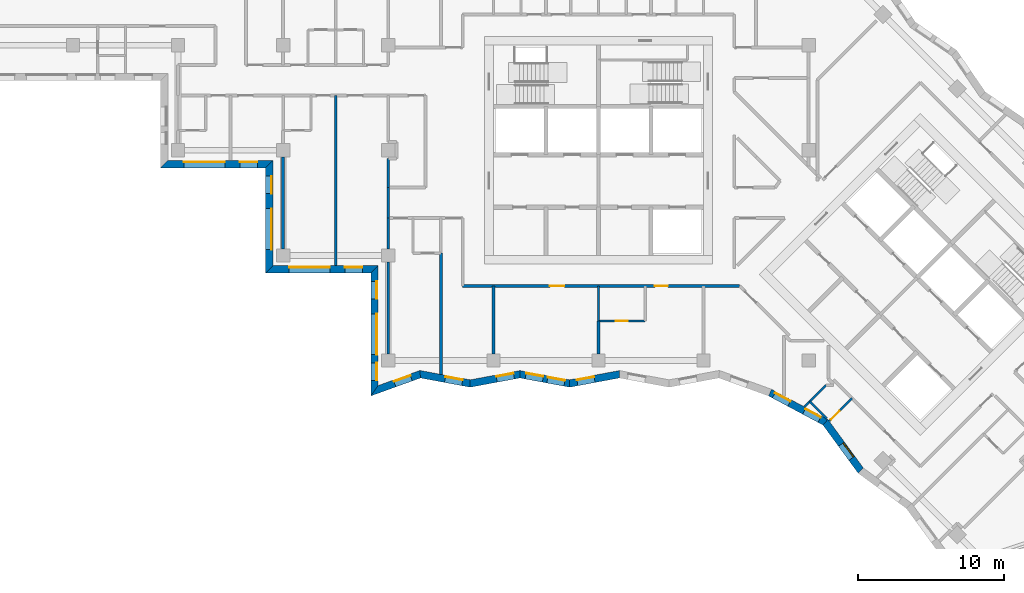
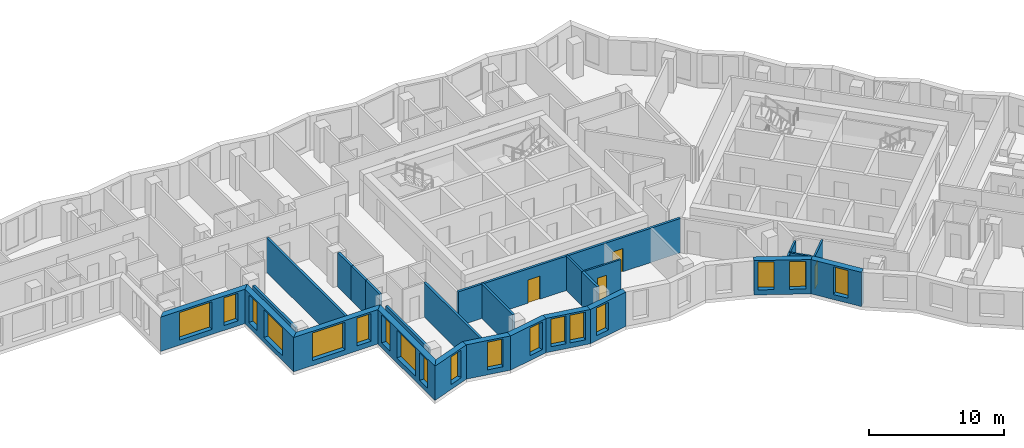
# One storey, part 2 of 13: 26 walls, 18 windows, 4 doors, 22 openings.
"""IFC4 building model written with IfcOpenShell, lengths in metres."""

from ifc_helpers import new_model, si_unit, direction, frame, frame_2d, origin, place, context, subcontext, project, spatial, polyline, rectangle, outline, extrude, material, layer, layer_set, type_object, element, fill, save


model = new_model("IFC4")

# Units and contexts
model_context = context("Model", 3, precision=1e-05, world=origin(), true_north=direction((0.0, 1.0)))
body_context = subcontext(model_context, "Body", "Model", "MODEL_VIEW")
ifc_project = project(units=[si_unit("LENGTHUNIT", "METRE"), si_unit("AREAUNIT", "SQUARE_METRE"), si_unit("VOLUMEUNIT", "CUBIC_METRE"), si_unit("PLANEANGLEUNIT", "RADIAN"), si_unit("MASSUNIT", "GRAM", prefix="KILO")], contexts=[model_context])

# Site, building, storey
site_placement = place(None, origin())
site = spatial("IfcSite", under=ifc_project, at=site_placement, CompositionType="ELEMENT")
building_placement = place(site_placement, origin())
building = spatial("IfcBuilding", under=site, at=building_placement, Name="Windrow Commons", CompositionType="ELEMENT")
storey_placement = place(building_placement, frame((0.0, 0.0, 172.8)))
storey = spatial("IfcBuildingStorey", under=building, at=storey_placement, Name="L47", CompositionType="ELEMENT", Elevation=172.8)

# Wall, openings, windows
ifc_material_1 = material(Name="Brick masonry, red clay brick", Category="masonry")
ifc_layer_1 = layer(ifc_material_1, 0.5)
ifc_layer_set_1 = layer_set([ifc_layer_1], Name="Brick facade wall 500")
wall_type_1 = type_object("IfcWallType", Name="Brick facade wall 500", PredefinedType="SOLIDWALL", material=ifc_layer_set_1)
wall_1_placement = place(storey_placement, frame((35.05, 56.65, 0.0), z_axis=(0.0, 0.0, 1.0), x_axis=(1.0, 0.0, 0.0)))
wall_1 = element("IfcWall", 1, at=wall_1_placement, inside=storey, type_object=wall_type_1, Name="Brick facade wall L47 38", PredefinedType="SOLIDWALL", context=body_context, shape_type="SweptSolid", body=[
    extrude(outline(polyline([(-0.25, -0.25), (6.95, -0.25), (7.45, 0.25), (0.25, 0.25), (-0.25, -0.25)])), origin(), (0.0, 0.0, 1.0), 3.1),
])
opening_1_placement = place(wall_1_placement, frame((1.35, 0.0, 0.45)))
opening_1 = element("IfcOpeningElement", 2, at=opening_1_placement, cuts=wall_1, Name="Opening W1U", PredefinedType="OPENING", context=body_context, shape_type="SweptSolid", body=[
    extrude(rectangle(XDim=2.8, YDim=2.5, at=frame_2d((1.4, 1.25))), frame((0.0, 0.26, 0.0), z_axis=(0.0, -1.0, 0.0), x_axis=(1.0, 0.0, 0.0)), (0.0, 0.0, 1.0), 0.52),
])
opening_2_placement = place(wall_1_placement, frame((5.175, 0.0, 0.45)))
opening_2 = element("IfcOpeningElement", 3, at=opening_2_placement, cuts=wall_1, Name="Opening W7E", PredefinedType="OPENING", context=body_context, shape_type="SweptSolid", body=[
    extrude(rectangle(XDim=1.2, YDim=2.5, at=frame_2d((0.6, 1.25))), frame((0.0, 0.26, 0.0), z_axis=(0.0, -1.0, 0.0), x_axis=(1.0, 0.0, 0.0)), (0.0, 0.0, 1.0), 0.52),
])
ifc_material_2 = material(Name="Clear float glass in anodised aluminium frame", Category="aluminium")
window_type_1 = type_object("IfcWindowType", Name="Window W1U bedroom 2800x2500", PartitioningType="SINGLE_PANEL", PredefinedType="WINDOW", material=ifc_material_2)
window_1_placement = place(opening_1_placement, origin())
window_1 = element("IfcWindow", 4, at=window_1_placement, inside=storey, type_object=window_type_1, Name="Window L47 38.1", OverallHeight=2.5, OverallWidth=2.8, PartitioningType="SINGLE_PANEL", PredefinedType="WINDOW", context=body_context, shape_type="SweptSolid", body=[
    extrude(rectangle(XDim=2.8, YDim=2.5, at=frame_2d((1.4, 1.25))), frame((0.0, 0.18, 0.0), z_axis=(0.0, -1.0, 0.0), x_axis=(1.0, 0.0, 0.0)), (0.0, 0.0, 1.0), 0.06),
])
fill(opening_1, window_1)
ifc_material_3 = material(Name="Clear float glass in anodised aluminium frame", Category="aluminium")
window_type_2 = type_object("IfcWindowType", Name="Window W7 notch 1200x2500", PartitioningType="SINGLE_PANEL", PredefinedType="WINDOW", material=ifc_material_3)
window_2_placement = place(opening_2_placement, origin())
window_2 = element("IfcWindow", 5, at=window_2_placement, inside=storey, type_object=window_type_2, Name="Window L47 38.2", OverallHeight=2.5, OverallWidth=1.2, PartitioningType="SINGLE_PANEL", PredefinedType="WINDOW", context=body_context, shape_type="SweptSolid", body=[
    extrude(rectangle(XDim=1.2, YDim=2.5, at=frame_2d((0.6, 1.25))), frame((0.0, 0.18, 0.0), z_axis=(0.0, -1.0, 0.0), x_axis=(1.0, 0.0, 0.0)), (0.0, 0.0, 1.0), 0.06),
])
fill(opening_2, window_2)

wall_2_placement = place(storey_placement, frame((42.25, 56.65, 0.0), z_axis=(0.0, 0.0, 1.0), x_axis=(0.0, -1.0, 0.0)))
wall_2 = element("IfcWall", 6, at=wall_2_placement, inside=storey, type_object=wall_type_1, Name="Brick facade wall L47 39", PredefinedType="SOLIDWALL", context=body_context, shape_type="SweptSolid", body=[
    extrude(outline(polyline([(0.25, -0.25), (7.45, -0.25), (6.95, 0.25), (-0.25, 0.25), (0.25, -0.25)])), origin(), (0.0, 0.0, 1.0), 3.1),
])
opening_3_placement = place(wall_2_placement, frame((3.05, 0.0, 0.45)))
opening_3 = element("IfcOpeningElement", 7, at=opening_3_placement, cuts=wall_2, Name="Opening W1U", PredefinedType="OPENING", context=body_context, shape_type="SweptSolid", body=[
    extrude(rectangle(XDim=2.8, YDim=2.5, at=frame_2d((1.4, 1.25))), frame((0.0, 0.26, 0.0), z_axis=(0.0, -1.0, 0.0), x_axis=(1.0, 0.0, 0.0)), (0.0, 0.0, 1.0), 0.52),
])
opening_4_placement = place(wall_2_placement, frame((0.825, 0.0, 0.45)))
opening_4 = element("IfcOpeningElement", 8, at=opening_4_placement, cuts=wall_2, Name="Opening W7E", PredefinedType="OPENING", context=body_context, shape_type="SweptSolid", body=[
    extrude(rectangle(XDim=1.2, YDim=2.5, at=frame_2d((0.6, 1.25))), frame((0.0, 0.26, 0.0), z_axis=(0.0, -1.0, 0.0), x_axis=(1.0, 0.0, 0.0)), (0.0, 0.0, 1.0), 0.52),
])
window_3_placement = place(opening_3_placement, origin())
window_3 = element("IfcWindow", 9, at=window_3_placement, inside=storey, type_object=window_type_1, Name="Window L47 39.1", OverallHeight=2.5, OverallWidth=2.8, PartitioningType="SINGLE_PANEL", PredefinedType="WINDOW", context=body_context, shape_type="SweptSolid", body=[
    extrude(rectangle(XDim=2.8, YDim=2.5, at=frame_2d((1.4, 1.25))), frame((0.0, 0.18, 0.0), z_axis=(0.0, -1.0, 0.0), x_axis=(1.0, 0.0, 0.0)), (0.0, 0.0, 1.0), 0.06),
])
fill(opening_3, window_3)
window_4_placement = place(opening_4_placement, origin())
window_4 = element("IfcWindow", 10, at=window_4_placement, inside=storey, type_object=window_type_2, Name="Window L47 39.2", OverallHeight=2.5, OverallWidth=1.2, PartitioningType="SINGLE_PANEL", PredefinedType="WINDOW", context=body_context, shape_type="SweptSolid", body=[
    extrude(rectangle(XDim=1.2, YDim=2.5, at=frame_2d((0.6, 1.25))), frame((0.0, 0.18, 0.0), z_axis=(0.0, -1.0, 0.0), x_axis=(1.0, 0.0, 0.0)), (0.0, 0.0, 1.0), 0.06),
])
fill(opening_4, window_4)

wall_3_placement = place(storey_placement, frame((42.25, 49.45, 0.0), z_axis=(0.0, 0.0, 1.0), x_axis=(1.0, 0.0, 0.0)))
wall_3 = element("IfcWall", 11, at=wall_3_placement, inside=storey, type_object=wall_type_1, Name="Brick facade wall L47 40", PredefinedType="SOLIDWALL", context=body_context, shape_type="SweptSolid", body=[
    extrude(outline(polyline([(-0.25, -0.25), (6.95, -0.25), (7.45, 0.25), (0.25, 0.25), (-0.25, -0.25)])), origin(), (0.0, 0.0, 1.0), 3.1),
])
opening_5_placement = place(wall_3_placement, frame((1.35, 0.0, 0.45)))
opening_5 = element("IfcOpeningElement", 12, at=opening_5_placement, cuts=wall_3, Name="Opening W1U", PredefinedType="OPENING", context=body_context, shape_type="SweptSolid", body=[
    extrude(rectangle(XDim=2.8, YDim=2.5, at=frame_2d((1.4, 1.25))), frame((0.0, 0.26, 0.0), z_axis=(0.0, -1.0, 0.0), x_axis=(1.0, 0.0, 0.0)), (0.0, 0.0, 1.0), 0.52),
])
opening_6_placement = place(wall_3_placement, frame((5.175, 0.0, 0.45)))
opening_6 = element("IfcOpeningElement", 13, at=opening_6_placement, cuts=wall_3, Name="Opening W7E", PredefinedType="OPENING", context=body_context, shape_type="SweptSolid", body=[
    extrude(rectangle(XDim=1.2, YDim=2.5, at=frame_2d((0.6, 1.25))), frame((0.0, 0.26, 0.0), z_axis=(0.0, -1.0, 0.0), x_axis=(1.0, 0.0, 0.0)), (0.0, 0.0, 1.0), 0.52),
])
window_5_placement = place(opening_5_placement, origin())
window_5 = element("IfcWindow", 14, at=window_5_placement, inside=storey, type_object=window_type_1, Name="Window L47 40.1", OverallHeight=2.5, OverallWidth=2.8, PartitioningType="SINGLE_PANEL", PredefinedType="WINDOW", context=body_context, shape_type="SweptSolid", body=[
    extrude(rectangle(XDim=2.8, YDim=2.5, at=frame_2d((1.4, 1.25))), frame((0.0, 0.18, 0.0), z_axis=(0.0, -1.0, 0.0), x_axis=(1.0, 0.0, 0.0)), (0.0, 0.0, 1.0), 0.06),
])
fill(opening_5, window_5)
window_6_placement = place(opening_6_placement, origin())
window_6 = element("IfcWindow", 15, at=window_6_placement, inside=storey, type_object=window_type_2, Name="Window L47 40.2", OverallHeight=2.5, OverallWidth=1.2, PartitioningType="SINGLE_PANEL", PredefinedType="WINDOW", context=body_context, shape_type="SweptSolid", body=[
    extrude(rectangle(XDim=1.2, YDim=2.5, at=frame_2d((0.6, 1.25))), frame((0.0, 0.18, 0.0), z_axis=(0.0, -1.0, 0.0), x_axis=(1.0, 0.0, 0.0)), (0.0, 0.0, 1.0), 0.06),
])
fill(opening_6, window_6)

wall_4_placement = place(storey_placement, frame((49.45, 49.45, 0.0), z_axis=(0.0, 0.0, 1.0), x_axis=(0.0, -1.0, 0.0)))
wall_4 = element("IfcWall", 16, at=wall_4_placement, inside=storey, type_object=wall_type_1, Name="Brick facade wall L47 41", PredefinedType="SOLIDWALL", context=body_context, shape_type="SweptSolid", body=[
    extrude(outline(polyline([(0.25, -0.25), (8.683, -0.25), (7.9703, 0.25), (-0.25, 0.25), (0.25, -0.25)])), origin(), (0.0, 0.0, 1.0), 3.1),
])
opening_7_placement = place(wall_4_placement, frame((3.05, 0.0, 0.45)))
opening_7 = element("IfcOpeningElement", 17, at=opening_7_placement, cuts=wall_4, Name="Opening W1U", PredefinedType="OPENING", context=body_context, shape_type="SweptSolid", body=[
    extrude(rectangle(XDim=2.8, YDim=2.5, at=frame_2d((1.4, 1.25))), frame((0.0, 0.26, 0.0), z_axis=(0.0, -1.0, 0.0), x_axis=(1.0, 0.0, 0.0)), (0.0, 0.0, 1.0), 0.52),
])
opening_8_placement = place(wall_4_placement, frame((0.825, 0.0, 0.45)))
opening_8 = element("IfcOpeningElement", 18, at=opening_8_placement, cuts=wall_4, Name="Opening W7E", PredefinedType="OPENING", context=body_context, shape_type="SweptSolid", body=[
    extrude(rectangle(XDim=1.2, YDim=2.5, at=frame_2d((0.6, 1.25))), frame((0.0, 0.26, 0.0), z_axis=(0.0, -1.0, 0.0), x_axis=(1.0, 0.0, 0.0)), (0.0, 0.0, 1.0), 0.52),
])
opening_9_placement = place(wall_4_placement, frame((6.4101, 0.0, 0.45)))
opening_9 = element("IfcOpeningElement", 19, at=opening_9_placement, cuts=wall_4, Name="Opening W7E", PredefinedType="OPENING", context=body_context, shape_type="SweptSolid", body=[
    extrude(rectangle(XDim=1.2, YDim=2.5, at=frame_2d((0.6, 1.25))), frame((0.0, 0.26, 0.0), z_axis=(0.0, -1.0, 0.0), x_axis=(1.0, 0.0, 0.0)), (0.0, 0.0, 1.0), 0.52),
])
window_7_placement = place(opening_7_placement, origin())
window_7 = element("IfcWindow", 20, at=window_7_placement, inside=storey, type_object=window_type_1, Name="Window L47 41.1", OverallHeight=2.5, OverallWidth=2.8, PartitioningType="SINGLE_PANEL", PredefinedType="WINDOW", context=body_context, shape_type="SweptSolid", body=[
    extrude(rectangle(XDim=2.8, YDim=2.5, at=frame_2d((1.4, 1.25))), frame((0.0, 0.18, 0.0), z_axis=(0.0, -1.0, 0.0), x_axis=(1.0, 0.0, 0.0)), (0.0, 0.0, 1.0), 0.06),
])
fill(opening_7, window_7)
window_8_placement = place(opening_8_placement, origin())
window_8 = element("IfcWindow", 21, at=window_8_placement, inside=storey, type_object=window_type_2, Name="Window L47 41.2", OverallHeight=2.5, OverallWidth=1.2, PartitioningType="SINGLE_PANEL", PredefinedType="WINDOW", context=body_context, shape_type="SweptSolid", body=[
    extrude(rectangle(XDim=1.2, YDim=2.5, at=frame_2d((0.6, 1.25))), frame((0.0, 0.18, 0.0), z_axis=(0.0, -1.0, 0.0), x_axis=(1.0, 0.0, 0.0)), (0.0, 0.0, 1.0), 0.06),
])
fill(opening_8, window_8)
window_9_placement = place(opening_9_placement, origin())
window_9 = element("IfcWindow", 22, at=window_9_placement, inside=storey, type_object=window_type_2, Name="Window L47 41.3", OverallHeight=2.5, OverallWidth=1.2, PartitioningType="SINGLE_PANEL", PredefinedType="WINDOW", context=body_context, shape_type="SweptSolid", body=[
    extrude(rectangle(XDim=1.2, YDim=2.5, at=frame_2d((0.6, 1.25))), frame((0.0, 0.18, 0.0), z_axis=(0.0, -1.0, 0.0), x_axis=(1.0, 0.0, 0.0)), (0.0, 0.0, 1.0), 0.06),
])
fill(opening_9, window_9)

# Wall, opening, window
wall_5_placement = place(storey_placement, frame((49.45, 41.1234, 0.0), z_axis=(0.0, 0.0, 1.0), x_axis=(0.9402933257, 0.3403651885, 0.0)))
wall_5 = element("IfcWall", 23, at=wall_5_placement, inside=storey, type_object=wall_type_1, Name="Brick facade wall L47 42", PredefinedType="SOLIDWALL", context=body_context, shape_type="SweptSolid", body=[
    extrude(outline(polyline([(-0.3564, -0.25), (3.2661, -0.25), (3.4021, 0.25), (0.3564, 0.25), (-0.3564, -0.25)])), origin(), (0.0, 0.0, 1.0), 3.1),
])
opening_10_placement = place(wall_5_placement, frame((1.4722, 0.0, 0.45)))
opening_10 = element("IfcOpeningElement", 24, at=opening_10_placement, cuts=wall_5, Name="Opening W7E", PredefinedType="OPENING", context=body_context, shape_type="SweptSolid", body=[
    extrude(rectangle(XDim=1.2, YDim=2.5, at=frame_2d((0.6, 1.25))), frame((0.0, 0.26, 0.0), z_axis=(0.0, -1.0, 0.0), x_axis=(1.0, 0.0, 0.0)), (0.0, 0.0, 1.0), 0.52),
])
window_10_placement = place(opening_10_placement, origin())
window_10 = element("IfcWindow", 25, at=window_10_placement, inside=storey, type_object=window_type_2, Name="Window L47 42.1", OverallHeight=2.5, OverallWidth=1.2, PartitioningType="SINGLE_PANEL", PredefinedType="WINDOW", context=body_context, shape_type="SweptSolid", body=[
    extrude(rectangle(XDim=1.2, YDim=2.5, at=frame_2d((0.6, 1.25))), frame((0.0, 0.18, 0.0), z_axis=(0.0, -1.0, 0.0), x_axis=(1.0, 0.0, 0.0)), (0.0, 0.0, 1.0), 0.06),
])
fill(opening_10, window_10)

wall_6_placement = place(storey_placement, frame((52.585, 42.2582, 0.0), z_axis=(0.0, 0.0, 1.0), x_axis=(0.9831690143, -0.182698356, 0.0)))
wall_6 = element("IfcWall", 26, at=wall_6_placement, inside=storey, type_object=wall_type_1, Name="Brick facade wall L47 43", PredefinedType="SOLIDWALL", context=body_context, shape_type="SweptSolid", body=[
    extrude(outline(polyline([(0.068, -0.25), (3.5325, -0.25), (3.4396, 0.25), (-0.068, 0.25), (0.068, -0.25)])), origin(), (0.0, 0.0, 1.0), 3.1),
])
opening_11_placement = place(wall_6_placement, frame((1.7394, 0.0, 0.45)))
opening_11 = element("IfcOpeningElement", 27, at=opening_11_placement, cuts=wall_6, Name="Opening W7E", PredefinedType="OPENING", context=body_context, shape_type="SweptSolid", body=[
    extrude(rectangle(XDim=1.2, YDim=2.5, at=frame_2d((0.6, 1.25))), frame((0.0, 0.26, 0.0), z_axis=(0.0, -1.0, 0.0), x_axis=(1.0, 0.0, 0.0)), (0.0, 0.0, 1.0), 0.52),
])
window_11_placement = place(opening_11_placement, origin())
window_11 = element("IfcWindow", 28, at=window_11_placement, inside=storey, type_object=window_type_2, Name="Window L47 43.1", OverallHeight=2.5, OverallWidth=1.2, PartitioningType="SINGLE_PANEL", PredefinedType="WINDOW", context=body_context, shape_type="SweptSolid", body=[
    extrude(rectangle(XDim=1.2, YDim=2.5, at=frame_2d((0.6, 1.25))), frame((0.0, 0.18, 0.0), z_axis=(0.0, -1.0, 0.0), x_axis=(1.0, 0.0, 0.0)), (0.0, 0.0, 1.0), 0.06),
])
fill(opening_11, window_11)

wall_7_placement = place(storey_placement, frame((56.0124, 41.6213, 0.0), z_axis=(0.0, 0.0, 1.0), x_axis=(0.9831660022, 0.1827145649, 0.0)))
wall_7 = element("IfcWall", 29, at=wall_7_placement, inside=storey, type_object=wall_type_1, Name="Brick facade wall L47 44", PredefinedType="SOLIDWALL", context=body_context, shape_type="SweptSolid", body=[
    extrude(outline(polyline([(-0.0465, -0.25), (3.418, -0.25), (3.511, 0.25), (0.0465, 0.25), (-0.0465, -0.25)])), origin(), (0.0, 0.0, 1.0), 3.1),
])
opening_12_placement = place(wall_7_placement, frame((1.8397, 0.0, 0.45)))
opening_12 = element("IfcOpeningElement", 30, at=opening_12_placement, cuts=wall_7, Name="Opening W7E", PredefinedType="OPENING", context=body_context, shape_type="SweptSolid", body=[
    extrude(rectangle(XDim=1.2, YDim=2.5, at=frame_2d((0.6, 1.25))), frame((0.0, 0.26, 0.0), z_axis=(0.0, -1.0, 0.0), x_axis=(1.0, 0.0, 0.0)), (0.0, 0.0, 1.0), 0.52),
])
window_12_placement = place(opening_12_placement, origin())
window_12 = element("IfcWindow", 31, at=window_12_placement, inside=storey, type_object=window_type_2, Name="Window L47 44.1", OverallHeight=2.5, OverallWidth=1.2, PartitioningType="SINGLE_PANEL", PredefinedType="WINDOW", context=body_context, shape_type="SweptSolid", body=[
    extrude(rectangle(XDim=1.2, YDim=2.5, at=frame_2d((0.6, 1.25))), frame((0.0, 0.18, 0.0), z_axis=(0.0, -1.0, 0.0), x_axis=(1.0, 0.0, 0.0)), (0.0, 0.0, 1.0), 0.06),
])
fill(opening_12, window_12)

# Wall, openings, windows
wall_8_placement = place(storey_placement, frame((59.4185, 42.2543, 0.0), z_axis=(0.0, 0.0, 1.0), x_axis=(0.9831669658, -0.1827093798, 0.0)))
wall_8 = element("IfcWall", 32, at=wall_8_placement, inside=storey, type_object=wall_type_1, Name="Brick facade wall L47 45", PredefinedType="SOLIDWALL", context=body_context, shape_type="SweptSolid", body=[
    extrude(outline(polyline([(0.0465, -0.25), (3.511, -0.25), (3.418, 0.25), (-0.0465, 0.25), (0.0465, -0.25)])), origin(), (0.0, 0.0, 1.0), 3.1),
])
opening_13_placement = place(wall_8_placement, frame((0.406, 0.0, 0.45)))
opening_13 = element("IfcOpeningElement", 33, at=opening_13_placement, cuts=wall_8, Name="Opening W7E", PredefinedType="OPENING", context=body_context, shape_type="SweptSolid", body=[
    extrude(rectangle(XDim=1.2, YDim=2.5, at=frame_2d((0.6, 1.25))), frame((0.0, 0.26, 0.0), z_axis=(0.0, -1.0, 0.0), x_axis=(1.0, 0.0, 0.0)), (0.0, 0.0, 1.0), 0.52),
])
opening_14_placement = place(wall_8_placement, frame((1.915, 0.0, 0.45)))
opening_14 = element("IfcOpeningElement", 34, at=opening_14_placement, cuts=wall_8, Name="Opening W7E", PredefinedType="OPENING", context=body_context, shape_type="SweptSolid", body=[
    extrude(rectangle(XDim=1.2, YDim=2.5, at=frame_2d((0.6, 1.25))), frame((0.0, 0.26, 0.0), z_axis=(0.0, -1.0, 0.0), x_axis=(1.0, 0.0, 0.0)), (0.0, 0.0, 1.0), 0.52),
])
window_13_placement = place(opening_13_placement, origin())
window_13 = element("IfcWindow", 35, at=window_13_placement, inside=storey, type_object=window_type_2, Name="Window L47 45.1", OverallHeight=2.5, OverallWidth=1.2, PartitioningType="SINGLE_PANEL", PredefinedType="WINDOW", context=body_context, shape_type="SweptSolid", body=[
    extrude(rectangle(XDim=1.2, YDim=2.5, at=frame_2d((0.6, 1.25))), frame((0.0, 0.18, 0.0), z_axis=(0.0, -1.0, 0.0), x_axis=(1.0, 0.0, 0.0)), (0.0, 0.0, 1.0), 0.06),
])
fill(opening_13, window_13)
window_14_placement = place(opening_14_placement, origin())
window_14 = element("IfcWindow", 36, at=window_14_placement, inside=storey, type_object=window_type_2, Name="Window L47 45.2", OverallHeight=2.5, OverallWidth=1.2, PartitioningType="SINGLE_PANEL", PredefinedType="WINDOW", context=body_context, shape_type="SweptSolid", body=[
    extrude(rectangle(XDim=1.2, YDim=2.5, at=frame_2d((0.6, 1.25))), frame((0.0, 0.18, 0.0), z_axis=(0.0, -1.0, 0.0), x_axis=(1.0, 0.0, 0.0)), (0.0, 0.0, 1.0), 0.06),
])
fill(opening_14, window_14)

# Wall, opening, window
wall_9_placement = place(storey_placement, frame((62.8247, 41.6213, 0.0), z_axis=(0.0, 0.0, 1.0), x_axis=(0.9831669658, 0.1827093798, 0.0)))
wall_9 = element("IfcWall", 37, at=wall_9_placement, inside=storey, type_object=wall_type_1, Name="Brick facade wall L47 46", PredefinedType="SOLIDWALL", context=body_context, shape_type="SweptSolid", body=[
    extrude(outline(polyline([(-0.0465, -0.25), (3.418, -0.25), (3.511, 0.25), (0.0465, 0.25), (-0.0465, -0.25)])), origin(), (0.0, 0.0, 1.0), 3.1),
])
opening_15_placement = place(wall_9_placement, frame((0.5278, 0.0, 0.45)))
opening_15 = element("IfcOpeningElement", 38, at=opening_15_placement, cuts=wall_9, Name="Opening W7E", PredefinedType="OPENING", context=body_context, shape_type="SweptSolid", body=[
    extrude(rectangle(XDim=1.2, YDim=2.5, at=frame_2d((0.6, 1.25))), frame((0.0, 0.26, 0.0), z_axis=(0.0, -1.0, 0.0), x_axis=(1.0, 0.0, 0.0)), (0.0, 0.0, 1.0), 0.52),
])
window_15_placement = place(opening_15_placement, origin())
window_15 = element("IfcWindow", 39, at=window_15_placement, inside=storey, type_object=window_type_2, Name="Window L47 46.1", OverallHeight=2.5, OverallWidth=1.2, PartitioningType="SINGLE_PANEL", PredefinedType="WINDOW", context=body_context, shape_type="SweptSolid", body=[
    extrude(rectangle(XDim=1.2, YDim=2.5, at=frame_2d((0.6, 1.25))), frame((0.0, 0.18, 0.0), z_axis=(0.0, -1.0, 0.0), x_axis=(1.0, 0.0, 0.0)), (0.0, 0.0, 1.0), 0.06),
])
fill(opening_15, window_15)

# Wall, openings, windows
wall_10_placement = place(storey_placement, frame((76.5513, 40.996, 0.0), z_axis=(0.0, 0.0, 1.0), x_axis=(0.8822905093, -0.4707052763, 0.0)))
wall_10 = element("IfcWall", 40, at=wall_10_placement, inside=storey, type_object=wall_type_1, Name="Brick facade wall L47 50", PredefinedType="SOLIDWALL", context=body_context, shape_type="SweptSolid", body=[
    extrude(outline(polyline([(0.0179, -0.25), (4.2441, -0.25), (4.3585, 0.25), (-0.0179, 0.25), (0.0179, -0.25)])), origin(), (0.0, 0.0, 1.0), 3.1),
])
opening_16_placement = place(wall_10_placement, frame((0.3099, 0.0, 0.45)))
opening_16 = element("IfcOpeningElement", 41, at=opening_16_placement, cuts=wall_10, Name="Opening W7E", PredefinedType="OPENING", context=body_context, shape_type="SweptSolid", body=[
    extrude(rectangle(XDim=1.2, YDim=2.5, at=frame_2d((0.6, 1.25))), frame((0.0, 0.26, 0.0), z_axis=(0.0, -1.0, 0.0), x_axis=(1.0, 0.0, 0.0)), (0.0, 0.0, 1.0), 0.52),
])
opening_17_placement = place(wall_10_placement, frame((2.6606, 0.0, 0.45)))
opening_17 = element("IfcOpeningElement", 42, at=opening_17_placement, cuts=wall_10, Name="Opening W7E", PredefinedType="OPENING", context=body_context, shape_type="SweptSolid", body=[
    extrude(rectangle(XDim=1.2, YDim=2.5, at=frame_2d((0.6, 1.25))), frame((0.0, 0.26, 0.0), z_axis=(0.0, -1.0, 0.0), x_axis=(1.0, 0.0, 0.0)), (0.0, 0.0, 1.0), 0.52),
])
window_16_placement = place(opening_16_placement, origin())
window_16 = element("IfcWindow", 43, at=window_16_placement, inside=storey, type_object=window_type_2, Name="Window L47 50.1", OverallHeight=2.5, OverallWidth=1.2, PartitioningType="SINGLE_PANEL", PredefinedType="WINDOW", context=body_context, shape_type="SweptSolid", body=[
    extrude(rectangle(XDim=1.2, YDim=2.5, at=frame_2d((0.6, 1.25))), frame((0.0, 0.17, 0.0), z_axis=(0.0, -1.0, 0.0), x_axis=(1.0, 0.0, 0.0)), (0.0, 0.0, 1.0), 0.06),
])
fill(opening_16, window_16)
window_17_placement = place(opening_17_placement, origin())
window_17 = element("IfcWindow", 44, at=window_17_placement, inside=storey, type_object=window_type_2, Name="Window L47 50.2", OverallHeight=2.5, OverallWidth=1.2, PartitioningType="SINGLE_PANEL", PredefinedType="WINDOW", context=body_context, shape_type="SweptSolid", body=[
    extrude(rectangle(XDim=1.2, YDim=2.5, at=frame_2d((0.6, 1.25))), frame((0.0, 0.18, 0.0), z_axis=(0.0, -1.0, 0.0), x_axis=(1.0, 0.0, 0.0)), (0.0, 0.0, 1.0), 0.06),
])
fill(opening_17, window_17)

# Wall, opening, window
wall_11_placement = place(storey_placement, frame((80.3464, 38.9713, 0.0), z_axis=(0.0, 0.0, 1.0), x_axis=(0.5898152736, -0.8075381991, 0.0)))
wall_11 = element("IfcWall", 45, at=wall_11_placement, inside=storey, type_object=wall_type_1, Name="Brick facade wall L47 51", PredefinedType="SOLIDWALL", context=body_context, shape_type="SweptSolid", body=[
    extrude(outline(polyline([(0.0572, -0.25), (4.1493, -0.25), (4.0714, 0.25), (-0.0572, 0.25), (0.0572, -0.25)])), origin(), (0.0, 0.0, 1.0), 3.1),
])
opening_18_placement = place(wall_11_placement, frame((1.8592, 0.0, 0.45)))
opening_18 = element("IfcOpeningElement", 46, at=opening_18_placement, cuts=wall_11, Name="Opening W7E", PredefinedType="OPENING", context=body_context, shape_type="SweptSolid", body=[
    extrude(rectangle(XDim=1.2, YDim=2.5, at=frame_2d((0.6, 1.25))), frame((0.0, 0.26, 0.0), z_axis=(0.0, -1.0, 0.0), x_axis=(1.0, 0.0, 0.0)), (0.0, 0.0, 1.0), 0.52),
])
window_18_placement = place(opening_18_placement, origin())
window_18 = element("IfcWindow", 47, at=window_18_placement, inside=storey, type_object=window_type_2, Name="Window L47 51.1", OverallHeight=2.5, OverallWidth=1.2, PartitioningType="SINGLE_PANEL", PredefinedType="WINDOW", context=body_context, shape_type="SweptSolid", body=[
    extrude(rectangle(XDim=1.2, YDim=2.5, at=frame_2d((0.6, 1.25))), frame((0.0, 0.18, 0.0), z_axis=(0.0, -1.0, 0.0), x_axis=(1.0, 0.0, 0.0)), (0.0, 0.0, 1.0), 0.06),
])
fill(opening_18, window_18)

# Wall, openings, doors
ifc_material_4 = material(Name="Blockwork partition", Category="masonry")
ifc_layer_2 = layer(ifc_material_4, 0.2)
ifc_layer_set_2 = layer_set([ifc_layer_2], Name="IW-CORRIDOR-200")
wall_type_2 = type_object("IfcWallType", Name="IW-CORRIDOR-200", PredefinedType="PARTITIONING", material=ifc_layer_set_2)
wall_12_placement = place(storey_placement, frame((55.5, 48.3, 0.0), z_axis=(0.0, 0.0, 1.0), x_axis=(1.0, 0.0, 0.0)))
wall_12 = element("IfcWall", 48, at=wall_12_placement, inside=storey, type_object=wall_type_2, Name="W-L47-W001", PredefinedType="PARTITIONING", context=body_context, shape_type="SweptSolid", body=[
    extrude(rectangle(XDim=18.974, YDim=0.2, at=frame_2d((9.487, 0.0))), origin(), (0.0, 0.0, 1.0), 3.1),
])
opening_19_placement = place(wall_12_placement, frame((5.9625, 0.0, 0.0)))
opening_19 = element("IfcOpeningElement", 49, at=opening_19_placement, cuts=wall_12, Name="Opening D310F", PredefinedType="OPENING", context=body_context, shape_type="SweptSolid", body=[
    extrude(rectangle(XDim=1.0, YDim=2.1, at=frame_2d((0.5, 1.05))), frame((0.0, 0.11, 0.0), z_axis=(0.0, -1.0, 0.0), x_axis=(1.0, 0.0, 0.0)), (0.0, 0.0, 1.0), 0.22),
])
opening_20_placement = place(wall_12_placement, frame((13.1607, 0.0, 0.0)))
opening_20 = element("IfcOpeningElement", 50, at=opening_20_placement, cuts=wall_12, Name="Opening D109F", PredefinedType="OPENING", context=body_context, shape_type="SweptSolid", body=[
    extrude(rectangle(XDim=0.9, YDim=2.1, at=frame_2d((0.45, 1.05))), frame((0.0, 0.11, 0.0), z_axis=(0.0, -1.0, 0.0), x_axis=(1.0, 0.0, 0.0)), (0.0, 0.0, 1.0), 0.22),
])
ifc_material_5 = material(Name="Timber door leaf", Category="wood")
door_type_1 = type_object("IfcDoorType", Name="DT-AMENITY-1000", OperationType="SINGLE_SWING_LEFT", PredefinedType="DOOR", material=ifc_material_5)
door_1_placement = place(opening_19_placement, origin())
door_1 = element("IfcDoor", 51, at=door_1_placement, inside=storey, type_object=door_type_1, Name="D-L47-D036", OperationType="SINGLE_SWING_LEFT", OverallHeight=2.1, OverallWidth=1.0, PredefinedType="DOOR", context=body_context, shape_type="SweptSolid", body=[
    extrude(rectangle(XDim=1.0, YDim=2.1, at=frame_2d((0.5, 1.05))), frame((0.0, 0.025, 0.0), z_axis=(0.0, -1.0, 0.0), x_axis=(1.0, 0.0, 0.0)), (0.0, 0.0, 1.0), 0.05),
])
fill(opening_19, door_1)
ifc_material_6 = material(Name="Timber door leaf", Category="wood")
door_type_2 = type_object("IfcDoorType", Name="DT-BEDROOM-900", OperationType="SINGLE_SWING_LEFT", PredefinedType="DOOR", material=ifc_material_6)
door_2_placement = place(opening_20_placement, origin())
door_2 = element("IfcDoor", 52, at=door_2_placement, inside=storey, type_object=door_type_2, Name="D-L47-D037", OperationType="SINGLE_SWING_LEFT", OverallHeight=2.1, OverallWidth=0.9, PredefinedType="DOOR", context=body_context, shape_type="SweptSolid", body=[
    extrude(rectangle(XDim=0.9, YDim=2.1, at=frame_2d((0.45, 1.05))), frame((0.0, 0.025, 0.0), z_axis=(0.0, -1.0, 0.0), x_axis=(1.0, 0.0, 0.0)), (0.0, 0.0, 1.0), 0.05),
])
fill(opening_20, door_2)

# Wall
wall_13_placement = place(storey_placement, frame((50.4, 52.95, 0.0), z_axis=(0.0, 0.0, 1.0), x_axis=(0.0, 1.0, 0.0)))
element("IfcWall", 53, at=wall_13_placement, inside=storey, type_object=wall_type_2, Name="W-L47-W112", PredefinedType="PARTITIONING", context=body_context, shape_type="SweptSolid", body=[
    extrude(rectangle(XDim=2.1, YDim=0.2, at=frame_2d((1.05, 0.0))), origin(), (0.0, 0.0, 1.0), 3.1),
])

# Wall, opening, door
ifc_material_7 = material(Name="Blockwork partition", Category="masonry")
ifc_layer_3 = layer(ifc_material_7, 0.15)
ifc_layer_set_3 = layer_set([ifc_layer_3], Name="IW-ENSUITE-150")
wall_type_3 = type_object("IfcWallType", Name="IW-ENSUITE-150", PredefinedType="PARTITIONING", material=ifc_layer_set_3)
wall_14_placement = place(storey_placement, frame((64.8, 45.9, 0.0), z_axis=(0.0, 0.0, 1.0), x_axis=(1.0, 0.0, 0.0)))
wall_14 = element("IfcWall", 54, at=wall_14_placement, inside=storey, type_object=wall_type_3, Name="W-L47-W057", PredefinedType="PARTITIONING", context=body_context, shape_type="SweptSolid", body=[
    extrude(rectangle(XDim=3.2, YDim=0.15, at=frame_2d((1.6, 0.0))), origin(), (0.0, 0.0, 1.0), 3.1),
])
opening_21_placement = place(wall_14_placement, frame((1.1958, 0.0, 0.0)))
opening_21 = element("IfcOpeningElement", 55, at=opening_21_placement, cuts=wall_14, Name="Opening D208N", PredefinedType="OPENING", context=body_context, shape_type="SweptSolid", body=[
    extrude(rectangle(XDim=0.8, YDim=2.1, at=frame_2d((0.4, 1.05))), frame((0.0, 0.085, 0.0), z_axis=(0.0, -1.0, 0.0), x_axis=(1.0, 0.0, 0.0)), (0.0, 0.0, 1.0), 0.17),
])
ifc_material_8 = material(Name="Timber door leaf", Category="wood")
door_type_3 = type_object("IfcDoorType", Name="DT-ENSUITE-800", OperationType="SINGLE_SWING_LEFT", PredefinedType="DOOR", material=ifc_material_8)
door_3_placement = place(opening_21_placement, origin())
door_3 = element("IfcDoor", 56, at=door_3_placement, inside=storey, type_object=door_type_3, Name="D-L47-D038", OperationType="SINGLE_SWING_RIGHT", OverallHeight=2.1, OverallWidth=0.8, PredefinedType="DOOR", context=body_context, shape_type="SweptSolid", body=[
    extrude(rectangle(XDim=0.8, YDim=2.1, at=frame_2d((0.4, 1.05))), frame((0.0, 0.025, 0.0), z_axis=(0.0, -1.0, 0.0), x_axis=(1.0, 0.0, 0.0)), (0.0, 0.0, 1.0), 0.05),
])
fill(opening_21, door_3)

# Wall
wall_15_placement = place(storey_placement, frame((64.8, 45.9, 0.0), z_axis=(0.0, 0.0, 1.0), x_axis=(0.0, 1.0, 0.0)))
element("IfcWall", 57, at=wall_15_placement, inside=storey, type_object=wall_type_3, Name="W-L47-W078", PredefinedType="PARTITIONING", context=body_context, shape_type="SweptSolid", body=[
    extrude(rectangle(XDim=2.4, YDim=0.15, at=frame_2d((1.2, 0.0))), origin(), (0.0, 0.0, 1.0), 3.1),
])

# Wall, opening, door
wall_16_placement = place(storey_placement, frame((80.6049, 39.0412, 0.0), z_axis=(0.0, 0.0, 1.0), x_axis=(0.7071293873, 0.7070841744, 0.0)))
wall_16 = element("IfcWall", 58, at=wall_16_placement, inside=storey, type_object=wall_type_3, Name="W-L47-W109", PredefinedType="PARTITIONING", context=body_context, shape_type="SweptSolid", body=[
    extrude(rectangle(XDim=2.2118, YDim=0.15, at=frame_2d((1.1059, 0.0))), origin(), (0.0, 0.0, 1.0), 3.1),
])
opening_22_placement = place(wall_16_placement, frame((0.1748, 0.0, 0.0)))
opening_22 = element("IfcOpeningElement", 59, at=opening_22_placement, cuts=wall_16, Name="Opening D208N", PredefinedType="OPENING", context=body_context, shape_type="SweptSolid", body=[
    extrude(rectangle(XDim=0.8, YDim=2.1, at=frame_2d((0.4, 1.05))), frame((0.0, 0.085, 0.0), z_axis=(0.0, -1.0, 0.0), x_axis=(1.0, 0.0, 0.0)), (0.0, 0.0, 1.0), 0.17),
])
door_4_placement = place(opening_22_placement, origin())
door_4 = element("IfcDoor", 60, at=door_4_placement, inside=storey, type_object=door_type_3, Name="D-L47-D050", OperationType="SINGLE_SWING_RIGHT", OverallHeight=2.1, OverallWidth=0.8, PredefinedType="DOOR", context=body_context, shape_type="SweptSolid", body=[
    extrude(rectangle(XDim=0.8, YDim=2.1, at=frame_2d((0.4, 1.05))), frame((0.0, 0.025, 0.0), z_axis=(0.0, -1.0, 0.0), x_axis=(1.0, 0.0, 0.0)), (0.0, 0.0, 1.0), 0.05),
])
fill(opening_22, door_4)

# Walls
wall_17_placement = place(storey_placement, frame((78.902, 40.0253, 0.0), z_axis=(0.0, 0.0, 1.0), x_axis=(0.7071307448, 0.7070828167, 0.0)))
element("IfcWall", 61, at=wall_17_placement, inside=storey, type_object=wall_type_3, Name="W-L47-W115", PredefinedType="PARTITIONING", context=body_context, shape_type="SweptSolid", body=[
    extrude(rectangle(XDim=2.0865, YDim=0.15, at=frame_2d((1.0433, 0.0))), origin(), (0.0, 0.0, 1.0), 3.1),
])
wall_18_placement = place(storey_placement, frame((79.2673, 40.3893, 0.0), z_axis=(0.0, 0.0, 1.0), x_axis=(0.7071067812, -0.7071067812, 0.0)))
element("IfcWall", 62, at=wall_18_placement, inside=storey, type_object=wall_type_3, Name="W-L47-W128", PredefinedType="PARTITIONING", context=body_context, shape_type="SweptSolid", body=[
    extrude(rectangle(XDim=1.6444, YDim=0.15, at=frame_2d((0.8222, 0.0))), origin(), (0.0, 0.0, 1.0), 3.1),
])
ifc_material_9 = material(Name="Blockwork partition", Category="masonry")
ifc_layer_4 = layer(ifc_material_9, 0.2)
ifc_layer_set_4 = layer_set([ifc_layer_4], Name="IW-PARTY-200")
wall_type_4 = type_object("IfcWallType", Name="IW-PARTY-200", PredefinedType="PARTITIONING", material=ifc_layer_set_4)
wall_19_placement = place(storey_placement, frame((46.8, 49.7, 0.0), z_axis=(0.0, 0.0, 1.0), x_axis=(0.0, 1.0, 0.0)))
element("IfcWall", 63, at=wall_19_placement, inside=storey, type_object=wall_type_4, Name="W-L47-W008", PredefinedType="PARTITIONING", context=body_context, shape_type="SweptSolid", body=[
    extrude(rectangle(XDim=11.65, YDim=0.2, at=frame_2d((5.825, 0.0))), origin(), (0.0, 0.0, 1.0), 3.1),
])
wall_20_placement = place(storey_placement, frame((54.0, 42.2495, 0.0), z_axis=(0.0, 0.0, 1.0), x_axis=(0.0, 1.0, 0.0)))
element("IfcWall", 64, at=wall_20_placement, inside=storey, type_object=wall_type_4, Name="W-L47-W013", PredefinedType="PARTITIONING", context=body_context, shape_type="SweptSolid", body=[
    extrude(rectangle(XDim=8.3005, YDim=0.2, at=frame_2d((4.1502, 0.0))), origin(), (0.0, 0.0, 1.0), 3.1),
])
for number, where, z_axis, x_axis, name in (
    (65, (50.4, 43.65, 0.0), (0.0, 0.0, 1.0), (0.0, 1.0, 0.0), "W-L47-W022"),
    (66, (43.2, 50.85, 0.0), (0.0, 0.0, 1.0), (0.0, 1.0, 0.0), "W-L47-W024"),
):
    element("IfcWall", number, at=place(storey_placement, frame(where, z_axis=z_axis, x_axis=x_axis)), inside=storey, type_object=wall_type_4, Name=name, PredefinedType="PARTITIONING", context=body_context, shape_type="SweptSolid", body=[
        extrude(rectangle(XDim=6.3, YDim=0.2, at=frame_2d((3.15, 0.0))), origin(), (0.0, 0.0, 1.0), 2.6),
    ])
wall_21_placement = place(storey_placement, frame((57.6, 43.65, 0.0), z_axis=(0.0, 0.0, 1.0), x_axis=(0.0, 1.0, 0.0)))
element("IfcWall", 67, at=wall_21_placement, inside=storey, type_object=wall_type_4, Name="W-L47-W042", PredefinedType="PARTITIONING", context=body_context, shape_type="SweptSolid", body=[
    extrude(rectangle(XDim=4.65, YDim=0.2, at=frame_2d((2.325, 0.0))), origin(), (0.0, 0.0, 1.0), 3.1),
])
wall_22_placement = place(storey_placement, frame((64.8, 43.65, 0.0), z_axis=(0.0, 0.0, 1.0), x_axis=(0.0, 1.0, 0.0)))
element("IfcWall", 68, at=wall_22_placement, inside=storey, type_object=wall_type_4, Name="W-L47-W104", PredefinedType="PARTITIONING", context=body_context, shape_type="SweptSolid", body=[
    extrude(rectangle(XDim=2.25, YDim=0.2, at=frame_2d((1.125, 0.0))), origin(), (0.0, 0.0, 1.0), 3.1),
])
wall_23_placement = place(storey_placement, frame((50.4, 50.85, 0.0), z_axis=(0.0, 0.0, 1.0), x_axis=(0.0, 1.0, 0.0)))
element("IfcWall", 69, at=wall_23_placement, inside=storey, type_object=wall_type_4, Name="W-L47-W111", PredefinedType="PARTITIONING", context=body_context, shape_type="SweptSolid", body=[
    extrude(rectangle(XDim=2.1, YDim=0.2, at=frame_2d((1.05, 0.0))), origin(), (0.0, 0.0, 1.0), 3.1),
])
wall_24_placement = place(storey_placement, frame((50.4, 55.05, 0.0), z_axis=(0.0, 0.0, 1.0), x_axis=(0.0, 1.0, 0.0)))
element("IfcWall", 70, at=wall_24_placement, inside=storey, type_object=wall_type_4, Name="W-L47-W116", PredefinedType="PARTITIONING", context=body_context, shape_type="SweptSolid", body=[
    extrude(rectangle(XDim=1.994, YDim=0.2, at=frame_2d((0.997, 0.0))), origin(), (0.0, 0.0, 1.0), 3.1),
])

save(model, "model.ifc")
